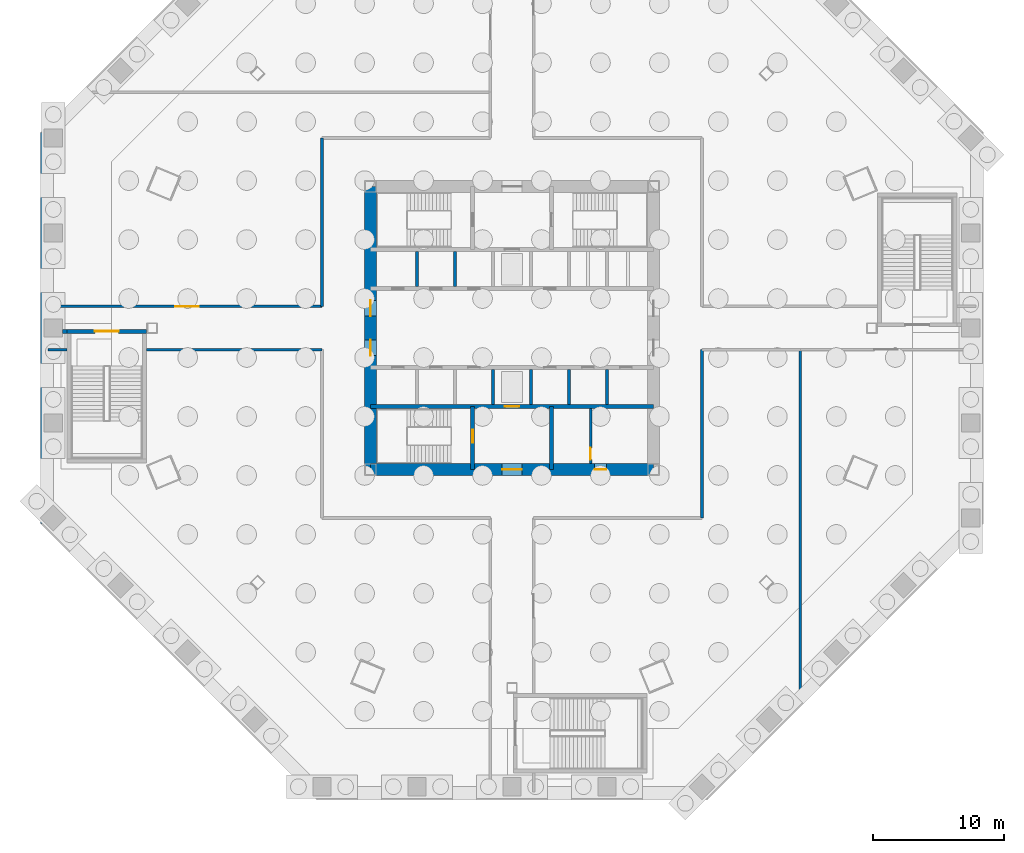
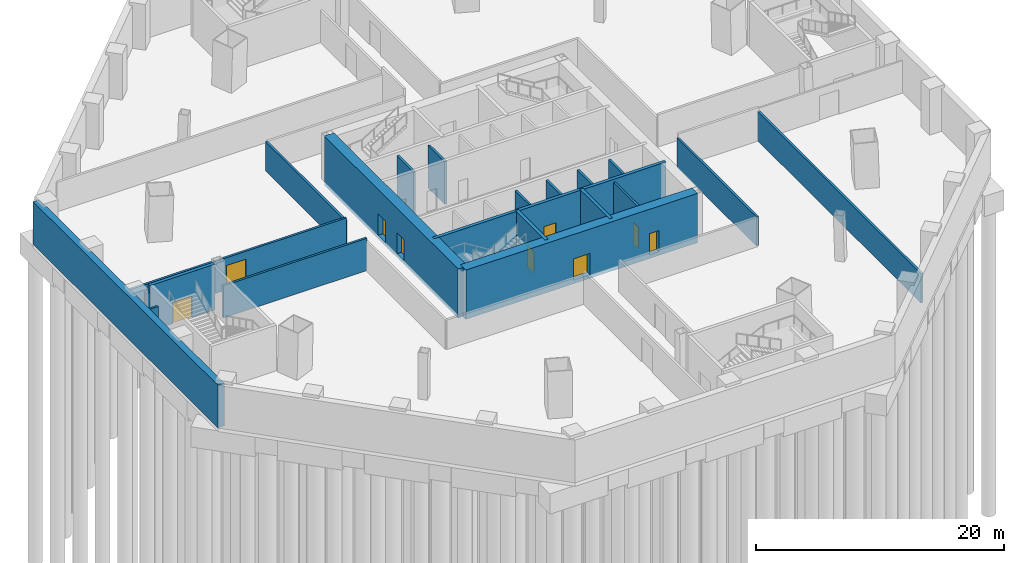
# One storey, part 4 of 11: 21 walls, 9 doors, 9 openings.
"""IFC4 building model written with IfcOpenShell, lengths in metres."""

from ifc_helpers import new_model, si_unit, direction, frame, frame_2d, origin, place, context, subcontext, project, spatial, rectangle, extrude, material, layer, layer_set, type_object, element, fill, save


model = new_model("IFC4")

# Units and contexts
model_context = context("Model", 3, precision=1e-05, world=origin(), true_north=direction((0.0, 1.0)))
body_context = subcontext(model_context, "Body", "Model", "MODEL_VIEW")
ifc_project = project(units=[si_unit("LENGTHUNIT", "METRE"), si_unit("AREAUNIT", "SQUARE_METRE"), si_unit("VOLUMEUNIT", "CUBIC_METRE"), si_unit("PLANEANGLEUNIT", "RADIAN"), si_unit("MASSUNIT", "GRAM", prefix="KILO")], contexts=[model_context])

# Site, building, storey
site_placement = place(None, origin())
site = spatial("IfcSite", under=ifc_project, at=site_placement, CompositionType="ELEMENT")
building_placement = place(site_placement, origin())
building = spatial("IfcBuilding", under=site, at=building_placement, Name="Mashrafa Tower", CompositionType="ELEMENT")
storey_placement = place(building_placement, frame((0.0, 0.0, -9.0)))
storey = spatial("IfcBuildingStorey", under=building, at=storey_placement, Name="B2", CompositionType="ELEMENT", Elevation=-9.0)

# Walls
ifc_material_1 = material(Name="Concrete C40/50", Category="concrete")
ifc_layer_1 = layer(ifc_material_1, 0.60009765625)
ifc_layer_set_1 = layer_set([ifc_layer_1], Name="Basement retaining wall 600")
wall_type_1 = type_object("IfcWallType", Name="Basement retaining wall 600", PredefinedType="SOLIDWALL", material=ifc_layer_set_1)
wall_1_placement = place(storey_placement, frame((-35.699951171875, 14.91162109375, 0.0), z_axis=(0.0, 0.0, 1.0), x_axis=(0.0, -1.0, 0.0)))
element("IfcWall", 1, at=wall_1_placement, inside=storey, type_object=wall_type_1, Name="Basement retaining wall B2 west", PredefinedType="SOLIDWALL", context=body_context, shape_type="SweptSolid", body=[
    extrude(rectangle(XDim=29.8232421875, YDim=0.60009765625, at=frame_2d((14.91162109375, 0.0))), origin(), (0.0, 0.0, 1.0), 4.199951171875),
])
ifc_material_2 = material(Name="Concrete masonry unit", Category="masonry")
ifc_layer_2 = layer(ifc_material_2, 0.199951171875)
ifc_layer_set_2 = layer_set([ifc_layer_2], Name="Blockwork wall 200 2 hr")
wall_type_2 = type_object("IfcWallType", Name="Blockwork wall 200 2 hr", PredefinedType="PARTITIONING", material=ifc_layer_set_2)
wall_2_placement = place(storey_placement, frame((-14.5, 14.5, 0.0), z_axis=(0.0, 0.0, 1.0), x_axis=(0.0, -1.0, 0.0)))
element("IfcWall", 2, at=wall_2_placement, inside=storey, type_object=wall_type_2, Name="Blockwork wall B2-008", PredefinedType="PARTITIONING", context=body_context, shape_type="SweptSolid", body=[
    extrude(rectangle(XDim=12.85009765625, YDim=0.199951171875, at=frame_2d((6.425048828125, 0.0))), origin(), (0.0, 0.0, 1.0), 2.889892578125),
])

# Wall, opening, door
wall_3_placement = place(storey_placement, frame((-14.5, 1.64990234375, 0.0), z_axis=(0.0, 0.0, 1.0), x_axis=(-1.0, 0.0, 0.0)))
wall_3 = element("IfcWall", 3, at=wall_3_placement, inside=storey, type_object=wall_type_2, Name="Blockwork wall B2-009", PredefinedType="PARTITIONING", context=body_context, shape_type="SweptSolid", body=[
    extrude(rectangle(XDim=20.89501953125, YDim=0.199951171875, at=frame_2d((10.447509765625, 0.0))), origin(), (0.0, 0.0, 1.0), 3.17919921875),
])
opening_1_placement = place(wall_3_placement, frame((9.39990234375, 0.0, 0.0)))
opening_1 = element("IfcOpeningElement", 4, at=opening_1_placement, cuts=wall_3, Name="Opening B2.002", PredefinedType="OPENING", context=body_context, shape_type="SweptSolid", body=[
    extrude(rectangle(XDim=1.800048828125, YDim=2.39990234375, at=frame_2d((0.89990234375, 1.199951171875))), frame((0.0, 0.10986328125, 0.0), z_axis=(0.0, -1.0, 0.0), x_axis=(1.0, 0.0, 0.0)), (0.0, 0.0, 1.0), 0.219970703125),
])
ifc_material_3 = material(Name="Steel door", Category="steel")
door_type_1 = type_object("IfcDoorType", Name="Door pair 1800 x 2400 90 min", OperationType="DOUBLE_DOOR_SINGLE_SWING", PredefinedType="DOOR", material=ifc_material_3)
door_1_placement = place(opening_1_placement, frame((1.800048828125, 0.0, 0.0), z_axis=(0.0, 0.0, 1.0), x_axis=(-1.0, 0.0, 0.0)))
door_1 = element("IfcDoor", 5, at=door_1_placement, inside=storey, type_object=door_type_1, Name="Fire Pump Room B2 door", OperationType="DOUBLE_DOOR_SINGLE_SWING", OverallHeight=2.39990234375, OverallWidth=1.800048828125, PredefinedType="DOOR", context=body_context, shape_type="SweptSolid", body=[
    extrude(rectangle(XDim=1.800048828125, YDim=2.39990234375, at=frame_2d((0.89990234375, 1.199951171875))), frame((0.0, 0.02490234375, 0.0), z_axis=(0.0, -1.0, 0.0), x_axis=(1.0, 0.0, 0.0)), (0.0, 0.0, 1.0), 0.050048828125),
])
fill(opening_1, door_1)

# Walls
wall_4_placement = place(storey_placement, frame((-35.39501953125, -1.64990234375, 0.0), z_axis=(0.0, 0.0, 1.0), x_axis=(1.0, 0.0, 0.0)))
element("IfcWall", 6, at=wall_4_placement, inside=storey, type_object=wall_type_2, Name="Blockwork wall B2-012", PredefinedType="PARTITIONING", context=body_context, shape_type="SweptSolid", body=[
    extrude(rectangle(XDim=1.445556640625, YDim=0.199951171875, at=frame_2d((0.72265625, 0.0))), origin(), (0.0, 0.0, 1.0), 3.278076171875),
])
wall_5_placement = place(storey_placement, frame((-27.900390625, -1.64990234375, 0.0), z_axis=(0.0, 0.0, 1.0), x_axis=(1.0, 0.0, 0.0)))
element("IfcWall", 7, at=wall_5_placement, inside=storey, type_object=wall_type_2, Name="Blockwork wall B2-013", PredefinedType="PARTITIONING", context=body_context, shape_type="SweptSolid", body=[
    extrude(rectangle(XDim=13.400390625, YDim=0.199951171875, at=frame_2d((6.7001953125, 0.0))), origin(), (0.0, 0.0, 1.0), 3.17919921875),
])
wall_6_placement = place(storey_placement, frame((14.5, -14.5, 0.0), z_axis=(0.0, 0.0, 1.0), x_axis=(0.0, 1.0, 0.0)))
element("IfcWall", 8, at=wall_6_placement, inside=storey, type_object=wall_type_2, Name="Blockwork wall B2-020", PredefinedType="PARTITIONING", context=body_context, shape_type="SweptSolid", body=[
    extrude(rectangle(XDim=12.85009765625, YDim=0.199951171875, at=frame_2d((6.425048828125, 0.0))), origin(), (0.0, 0.0, 1.0), 2.889892578125),
])
wall_7_placement = place(storey_placement, frame((22.0, -28.05810546875, 0.0), z_axis=(0.0, 0.0, 1.0), x_axis=(0.0, 1.0, 0.0)))
element("IfcWall", 9, at=wall_7_placement, inside=storey, type_object=wall_type_2, Name="Blockwork wall B2-024", PredefinedType="PARTITIONING", context=body_context, shape_type="SweptSolid", body=[
    extrude(rectangle(XDim=26.408203125, YDim=0.199951171875, at=frame_2d((13.2041015625, 0.0))), origin(), (0.0, 0.0, 1.0), 2.889892578125),
])

# Wall, opening, door
wall_8_placement = place(storey_placement, frame((6.0, -10.35009765625, 0.0), z_axis=(0.0, 0.0, 1.0), x_axis=(0.0, 1.0, 0.0)))
wall_8 = element("IfcWall", 10, at=wall_8_placement, inside=storey, type_object=wall_type_2, Name="Riser enclosure wall B2", PredefinedType="PARTITIONING", context=body_context, shape_type="SweptSolid", body=[
    extrude(rectangle(XDim=4.2001953125, YDim=0.199951171875, at=frame_2d((2.10009765625, 0.0))), origin(), (0.0, 0.0, 1.0), 4.199951171875),
])
opening_2_placement = place(wall_8_placement, frame((0.300048828125, 0.0, 0.0)))
opening_2 = element("IfcOpeningElement", 11, at=opening_2_placement, cuts=wall_8, Name="Opening B2.017", PredefinedType="OPENING", context=body_context, shape_type="SweptSolid", body=[
    extrude(rectangle(XDim=0.89990234375, YDim=2.10009765625, at=frame_2d((0.449951171875, 1.050048828125))), frame((0.0, 0.10986328125, 0.0), z_axis=(0.0, -1.0, 0.0), x_axis=(1.0, 0.0, 0.0)), (0.0, 0.0, 1.0), 0.219970703125),
])
ifc_material_4 = material(Name="Steel door", Category="steel")
door_type_2 = type_object("IfcDoorType", Name="Service door 900 x 2100 90 min", OperationType="USERDEFINED", PredefinedType="DOOR", material=ifc_material_4)
door_2_placement = place(opening_2_placement, origin())
door_2 = element("IfcDoor", 12, at=door_2_placement, inside=storey, type_object=door_type_2, Name="Riser door B2", OperationType="SINGLE_SWING_LEFT", OverallHeight=2.10009765625, OverallWidth=0.89990234375, PredefinedType="DOOR", context=body_context, shape_type="SweptSolid", body=[
    extrude(rectangle(XDim=0.89990234375, YDim=2.10009765625, at=frame_2d((0.449951171875, 1.050048828125))), frame((0.0, 0.02490234375, 0.0), z_axis=(0.0, -1.0, 0.0), x_axis=(1.0, 0.0, 0.0)), (0.0, 0.0, 1.0), 0.050048828125),
])
fill(opening_2, door_2)

ifc_material_5 = material(Name="Concrete C60/75", Category="concrete")
ifc_layer_3 = layer(ifc_material_5, 0.300048828125)
ifc_layer_set_3 = layer_set([ifc_layer_3], Name="Core wall 300 C60/75")
wall_type_3 = type_object("IfcWallType", Name="Core wall 300 C60/75", PredefinedType="SOLIDWALL", material=ifc_layer_set_3)
wall_9_placement = place(storey_placement, frame((-10.800048828125, -6.0, -0.35009765625), z_axis=(0.0, 0.0, 1.0), x_axis=(1.0, 0.0, 0.0)))
wall_9 = element("IfcWall", 13, at=wall_9_placement, inside=storey, type_object=wall_type_3, Name="Core wall CB-S B2", PredefinedType="SOLIDWALL", context=body_context, shape_type="SweptSolid", body=[
    extrude(rectangle(XDim=21.60009765625, YDim=0.300048828125, at=frame_2d((10.800048828125, 0.0))), origin(), (0.0, 0.0, 1.0), 4.85009765625),
])
opening_3_placement = place(wall_9_placement, frame((10.25, 0.0, 0.35009765625)))
opening_3 = element("IfcOpeningElement", 14, at=opening_3_placement, cuts=wall_9, Name="Opening B2.F2", PredefinedType="OPENING", context=body_context, shape_type="SweptSolid", body=[
    extrude(rectangle(XDim=1.10009765625, YDim=2.10009765625, at=frame_2d((0.550048828125, 1.050048828125))), frame((0.0, 0.159912109375, 0.0), z_axis=(0.0, -1.0, 0.0), x_axis=(1.0, 0.0, 0.0)), (0.0, 0.0, 1.0), 0.320068359375),
])
ifc_material_6 = material(Name="Steel door", Category="steel")
door_type_3 = type_object("IfcDoorType", Name="Lift landing door 1100 x 2100 90 min", OperationType="DOUBLE_DOOR_SLIDING", PredefinedType="DOOR", material=ifc_material_6)
door_3_placement = place(opening_3_placement, origin())
door_3 = element("IfcDoor", 15, at=door_3_placement, inside=storey, type_object=door_type_3, Name="Lift landing door F2 B2", OperationType="DOUBLE_DOOR_SLIDING", OverallHeight=2.10009765625, OverallWidth=1.10009765625, PredefinedType="DOOR", context=body_context, shape_type="SweptSolid", body=[
    extrude(rectangle(XDim=1.10009765625, YDim=2.10009765625, at=frame_2d((0.550048828125, 1.050048828125))), frame((0.0, 0.02490234375, 0.0), z_axis=(0.0, -1.0, 0.0), x_axis=(1.0, 0.0, 0.0)), (0.0, 0.0, 1.0), 0.050048828125),
])
fill(opening_3, door_3)

wall_10_placement = place(storey_placement, frame((-3.0, -6.0, -0.35009765625), z_axis=(0.0, 0.0, 1.0), x_axis=(0.0, -1.0, 0.0)))
wall_10 = element("IfcWall", 16, at=wall_10_placement, inside=storey, type_object=wall_type_3, Name="Core wall CX-SW B2", PredefinedType="SOLIDWALL", context=body_context, shape_type="SweptSolid", body=[
    extrude(rectangle(XDim=4.800048828125, YDim=0.300048828125, at=frame_2d((2.39990234375, 0.0))), origin(), (0.0, 0.0, 1.0), 4.85009765625),
])
opening_4_placement = place(wall_10_placement, frame((1.75, 0.0, 0.35009765625)))
opening_4 = element("IfcOpeningElement", 17, at=opening_4_placement, cuts=wall_10, Name="Opening B2.015", PredefinedType="OPENING", context=body_context, shape_type="SweptSolid", body=[
    extrude(rectangle(XDim=1.0, YDim=2.10009765625, at=frame_2d((0.5, 1.050048828125))), frame((0.0, 0.159912109375, 0.0), z_axis=(0.0, -1.0, 0.0), x_axis=(1.0, 0.0, 0.0)), (0.0, 0.0, 1.0), 0.320068359375),
])
ifc_material_7 = material(Name="Steel door", Category="steel")
door_type_4 = type_object("IfcDoorType", Name="Stair door 1000 x 2100 90 min", OperationType="USERDEFINED", PredefinedType="DOOR", material=ifc_material_7)
door_4_placement = place(opening_4_placement, frame((1.0, 0.0, 0.0), z_axis=(0.0, 0.0, 1.0), x_axis=(-1.0, 0.0, 0.0)))
door_4 = element("IfcDoor", 18, at=door_4_placement, inside=storey, type_object=door_type_4, Name="Stair S3 door B2", OperationType="SINGLE_SWING_RIGHT", OverallHeight=2.10009765625, OverallWidth=1.0, PredefinedType="DOOR", context=body_context, shape_type="SweptSolid", body=[
    extrude(rectangle(XDim=1.0, YDim=2.10009765625, at=frame_2d((0.5, 1.050048828125))), frame((0.0, 0.02490234375, 0.0), z_axis=(0.0, -1.0, 0.0), x_axis=(1.0, 0.0, 0.0)), (0.0, 0.0, 1.0), 0.050048828125),
])
fill(opening_4, door_4)

# Wall
wall_11_placement = place(storey_placement, frame((3.0, -6.0, -0.35009765625), z_axis=(0.0, 0.0, 1.0), x_axis=(0.0, -1.0, 0.0)))
element("IfcWall", 19, at=wall_11_placement, inside=storey, type_object=wall_type_3, Name="Core wall CX-SE B2", PredefinedType="SOLIDWALL", context=body_context, shape_type="SweptSolid", body=[
    extrude(rectangle(XDim=4.800048828125, YDim=0.300048828125, at=frame_2d((2.39990234375, 0.0))), origin(), (0.0, 0.0, 1.0), 4.85009765625),
])

# Wall, openings, doors
ifc_material_8 = material(Name="Concrete C60/75", Category="concrete")
ifc_layer_4 = layer(ifc_material_8, 0.89990234375)
ifc_layer_set_4 = layer_set([ifc_layer_4], Name="Core wall 900 C60/75")
wall_type_4 = type_object("IfcWallType", Name="Core wall 900 C60/75", PredefinedType="SOLIDWALL", material=ifc_layer_set_4)
wall_12_placement = place(storey_placement, frame((-10.800048828125, -10.800048828125, -0.35009765625), z_axis=(0.0, 0.0, 1.0), x_axis=(1.0, 0.0, 0.0)))
wall_12 = element("IfcWall", 20, at=wall_12_placement, inside=storey, type_object=wall_type_4, Name="Core wall CW-S B2", PredefinedType="SOLIDWALL", context=body_context, shape_type="SweptSolid", body=[
    extrude(rectangle(XDim=21.60009765625, YDim=0.89990234375, at=frame_2d((10.800048828125, 0.0))), origin(), (0.0, 0.0, 1.0), 4.85009765625),
])
opening_5_placement = place(wall_12_placement, frame((10.050048828125, 0.0, 0.35009765625)))
opening_5 = element("IfcOpeningElement", 21, at=opening_5_placement, cuts=wall_12, Name="Opening B2.012", PredefinedType="OPENING", context=body_context, shape_type="SweptSolid", body=[
    extrude(rectangle(XDim=1.5, YDim=2.10009765625, at=frame_2d((0.75, 1.050048828125))), frame((0.0, 0.4599609375, 0.0), z_axis=(0.0, -1.0, 0.0), x_axis=(1.0, 0.0, 0.0)), (0.0, 0.0, 1.0), 0.919921875),
])
opening_6_placement = place(wall_12_placement, frame((17.10009765625, 0.0, 0.35009765625)))
opening_6 = element("IfcOpeningElement", 22, at=opening_6_placement, cuts=wall_12, Name="Opening B2.016", PredefinedType="OPENING", context=body_context, shape_type="SweptSolid", body=[
    extrude(rectangle(XDim=0.89990234375, YDim=2.10009765625, at=frame_2d((0.449951171875, 1.050048828125))), frame((0.0, 0.4599609375, 0.0), z_axis=(0.0, -1.0, 0.0), x_axis=(1.0, 0.0, 0.0)), (0.0, 0.0, 1.0), 0.919921875),
])
ifc_material_9 = material(Name="Steel door", Category="steel")
door_type_5 = type_object("IfcDoorType", Name="Lobby door pair 1500 x 2100 90 min", OperationType="DOUBLE_DOOR_SINGLE_SWING", PredefinedType="DOOR", material=ifc_material_9)
door_5_placement = place(opening_5_placement, frame((1.5, 0.0, 0.0), z_axis=(0.0, 0.0, 1.0), x_axis=(-1.0, 0.0, 0.0)))
door_5 = element("IfcDoor", 23, at=door_5_placement, inside=storey, type_object=door_type_5, Name="Fire-fighting lobby F2 door B2", OperationType="DOUBLE_DOOR_SINGLE_SWING", OverallHeight=2.10009765625, OverallWidth=1.5, PredefinedType="DOOR", context=body_context, shape_type="SweptSolid", body=[
    extrude(rectangle(XDim=1.5, YDim=2.10009765625, at=frame_2d((0.75, 1.050048828125))), frame((0.0, 0.02490234375, 0.0), z_axis=(0.0, -1.0, 0.0), x_axis=(1.0, 0.0, 0.0)), (0.0, 0.0, 1.0), 0.050048828125),
])
fill(opening_5, door_5)
door_6_placement = place(opening_6_placement, origin())
door_6 = element("IfcDoor", 24, at=door_6_placement, inside=storey, type_object=door_type_2, Name="Plant Store B2 door", OperationType="SINGLE_SWING_LEFT", OverallHeight=2.10009765625, OverallWidth=0.89990234375, PredefinedType="DOOR", context=body_context, shape_type="SweptSolid", body=[
    extrude(rectangle(XDim=0.89990234375, YDim=2.10009765625, at=frame_2d((0.449951171875, 1.050048828125))), frame((0.0, 0.02490234375, 0.0), z_axis=(0.0, -1.0, 0.0), x_axis=(1.0, 0.0, 0.0)), (0.0, 0.0, 1.0), 0.050048828125),
])
fill(opening_6, door_6)

wall_13_placement = place(storey_placement, frame((-10.800048828125, 10.800048828125, -0.35009765625), z_axis=(0.0, 0.0, 1.0), x_axis=(0.0, -1.0, 0.0)))
wall_13 = element("IfcWall", 25, at=wall_13_placement, inside=storey, type_object=wall_type_4, Name="Core wall CW-W B2", PredefinedType="SOLIDWALL", context=body_context, shape_type="SweptSolid", body=[
    extrude(rectangle(XDim=21.60009765625, YDim=0.89990234375, at=frame_2d((10.800048828125, 0.0))), origin(), (0.0, 0.0, 1.0), 4.85009765625),
])
opening_7_placement = place(wall_13_placement, frame((8.699951171875, 0.0, 0.35009765625)))
opening_7 = element("IfcOpeningElement", 26, at=opening_7_placement, cuts=wall_13, Name="Opening B2.008", PredefinedType="OPENING", context=body_context, shape_type="SweptSolid", body=[
    extrude(rectangle(XDim=1.199951171875, YDim=2.10009765625, at=frame_2d((0.60009765625, 1.050048828125))), frame((0.0, 0.4599609375, 0.0), z_axis=(0.0, -1.0, 0.0), x_axis=(1.0, 0.0, 0.0)), (0.0, 0.0, 1.0), 0.919921875),
])
opening_8_placement = place(wall_13_placement, frame((11.699951171875, 0.0, 0.35009765625)))
opening_8 = element("IfcOpeningElement", 27, at=opening_8_placement, cuts=wall_13, Name="Opening B2.010", PredefinedType="OPENING", context=body_context, shape_type="SweptSolid", body=[
    extrude(rectangle(XDim=1.199951171875, YDim=2.10009765625, at=frame_2d((0.60009765625, 1.050048828125))), frame((0.0, 0.4599609375, 0.0), z_axis=(0.0, -1.0, 0.0), x_axis=(1.0, 0.0, 0.0)), (0.0, 0.0, 1.0), 0.919921875),
])
ifc_material_10 = material(Name="Steel door", Category="steel")
door_type_6 = type_object("IfcDoorType", Name="Lift hall door 1200 x 2100 90 min", OperationType="USERDEFINED", PredefinedType="DOOR", material=ifc_material_10)
door_7_placement = place(opening_7_placement, frame((1.199951171875, 0.0, 0.0), z_axis=(0.0, 0.0, 1.0), x_axis=(-1.0, 0.0, 0.0)))
door_7 = element("IfcDoor", 28, at=door_7_placement, inside=storey, type_object=door_type_6, Name="Lift hall door west B2", OperationType="SINGLE_SWING_RIGHT", OverallHeight=2.10009765625, OverallWidth=1.199951171875, PredefinedType="DOOR", context=body_context, shape_type="SweptSolid", body=[
    extrude(rectangle(XDim=1.199951171875, YDim=2.10009765625, at=frame_2d((0.60009765625, 1.050048828125))), frame((0.0, 0.02490234375, 0.0), z_axis=(0.0, -1.0, 0.0), x_axis=(1.0, 0.0, 0.0)), (0.0, 0.0, 1.0), 0.050048828125),
])
fill(opening_7, door_7)
door_8_placement = place(opening_8_placement, frame((1.199951171875, 0.0, 0.0), z_axis=(0.0, 0.0, 1.0), x_axis=(-1.0, 0.0, 0.0)))
door_8 = element("IfcDoor", 29, at=door_8_placement, inside=storey, type_object=door_type_6, Name="Lift hall door west B2", OperationType="SINGLE_SWING_LEFT", OverallHeight=2.10009765625, OverallWidth=1.199951171875, PredefinedType="DOOR", context=body_context, shape_type="SweptSolid", body=[
    extrude(rectangle(XDim=1.199951171875, YDim=2.10009765625, at=frame_2d((0.60009765625, 1.050048828125))), frame((0.0, 0.02490234375, 0.0), z_axis=(0.0, -1.0, 0.0), x_axis=(1.0, 0.0, 0.0)), (0.0, 0.0, 1.0), 0.050048828125),
])
fill(opening_8, door_8)

# Walls
ifc_material_11 = material(Name="Gypsum shaft wall on steel studs", Category="steel")
ifc_layer_5 = layer(ifc_material_11, 0.199951171875)
ifc_layer_set_5 = layer_set([ifc_layer_5], Name="Shaft divider wall 200 2 hr")
wall_type_5 = type_object("IfcWallType", Name="Shaft divider wall 200 2 hr", PredefinedType="PARTITIONING", material=ifc_layer_set_5)
for number, where, z_axis, x_axis, name in (
    (30, (-7.25, 3.14990234375, 0.0), (0.0, 0.0, 1.0), (0.0, 1.0, 0.0), "Shaft divider wall N1 B2"),
    (31, (-4.35009765625, 3.14990234375, 0.0), (0.0, 0.0, 1.0), (0.0, 1.0, 0.0), "Shaft divider wall N2 B2"),
    (32, (-1.449951171875, -5.85009765625, 0.0), (0.0, 0.0, 1.0), (0.0, 1.0, 0.0), "Shaft divider wall S3 B2"),
    (33, (1.449951171875, -5.85009765625, 0.0), (0.0, 0.0, 1.0), (0.0, 1.0, 0.0), "Shaft divider wall S4 B2"),
    (34, (4.35009765625, -5.85009765625, 0.0), (0.0, 0.0, 1.0), (0.0, 1.0, 0.0), "Shaft divider wall S5 B2"),
    (35, (7.25, -5.85009765625, 0.0), (0.0, 0.0, 1.0), (0.0, 1.0, 0.0), "Shaft divider wall S6 B2"),
):
    element("IfcWall", number, at=place(storey_placement, frame(where, z_axis=z_axis, x_axis=x_axis)), inside=storey, type_object=wall_type_5, Name=name, PredefinedType="PARTITIONING", context=body_context, shape_type="SweptSolid", body=[
        extrude(rectangle(XDim=2.7001953125, YDim=0.199951171875, at=frame_2d((1.35009765625, 0.0))), origin(), (0.0, 0.0, 1.0), 4.199951171875),
    ])

# Wall, opening, door
ifc_material_12 = material(Name="Concrete C35/45", Category="concrete")
ifc_layer_6 = layer(ifc_material_12, 0.300048828125)
ifc_layer_set_6 = layer_set([ifc_layer_6], Name="Stair core wall 300 3 hr")
wall_type_6 = type_object("IfcWallType", Name="Stair core wall 300 3 hr", PredefinedType="SOLIDWALL", material=ifc_layer_set_6)
wall_14_placement = place(storey_placement, frame((-27.89990234375, -0.25, 0.0), z_axis=(0.0, 0.0, 1.0), x_axis=(-1.0, 0.0, 0.0)))
wall_14 = element("IfcWall", 36, at=wall_14_placement, inside=storey, type_object=wall_type_6, Name="Stair P3 core wall N B2", PredefinedType="SOLIDWALL", context=body_context, shape_type="SweptSolid", body=[
    extrude(rectangle(XDim=6.050048828125, YDim=0.300048828125, at=frame_2d((3.02490234375, 0.0))), origin(), (0.0, 0.0, 1.0), 4.5),
])
opening_9_placement = place(wall_14_placement, frame((2.125, 0.0, 0.0)))
opening_9 = element("IfcOpeningElement", 37, at=opening_9_placement, cuts=wall_14, Name="Opening B2.030", PredefinedType="OPENING", context=body_context, shape_type="SweptSolid", body=[
    extrude(rectangle(XDim=1.800048828125, YDim=2.10009765625, at=frame_2d((0.89990234375, 1.050048828125))), frame((0.0, 0.159912109375, 0.0), z_axis=(0.0, -1.0, 0.0), x_axis=(1.0, 0.0, 0.0)), (0.0, 0.0, 1.0), 0.320068359375),
])
ifc_material_13 = material(Name="Steel door", Category="steel")
door_type_7 = type_object("IfcDoorType", Name="Stair door pair 1800 x 2100 90 min", OperationType="DOUBLE_DOOR_SINGLE_SWING", PredefinedType="DOOR", material=ifc_material_13)
door_9_placement = place(opening_9_placement, origin())
door_9 = element("IfcDoor", 38, at=door_9_placement, inside=storey, type_object=door_type_7, Name="Stair P3 door B2", OperationType="DOUBLE_DOOR_SINGLE_SWING", OverallHeight=2.10009765625, OverallWidth=1.800048828125, PredefinedType="DOOR", context=body_context, shape_type="SweptSolid", body=[
    extrude(rectangle(XDim=1.800048828125, YDim=2.10009765625, at=frame_2d((0.89990234375, 1.050048828125))), frame((0.0, 0.02490234375, 0.0), z_axis=(0.0, -1.0, 0.0), x_axis=(1.0, 0.0, 0.0)), (0.0, 0.0, 1.0), 0.050048828125),
])
fill(opening_9, door_9)

# Wall
wall_15_placement = place(storey_placement, frame((-33.949951171875, -0.25, 0.0), z_axis=(0.0, 0.0, 1.0), x_axis=(-1.0, 0.0, 0.0)))
element("IfcWall", 39, at=wall_15_placement, inside=storey, type_object=wall_type_6, Name="Stair P3 core wall N B2 end piece 2", PredefinedType="SOLIDWALL", context=body_context, shape_type="SweptSolid", body=[
    extrude(rectangle(XDim=0.35009765625, YDim=0.300048828125, at=frame_2d((0.175048828125, 0.0))), origin(), (0.0, 0.0, 1.0), 3.844482421875),
])

save(model, "model.ifc")
